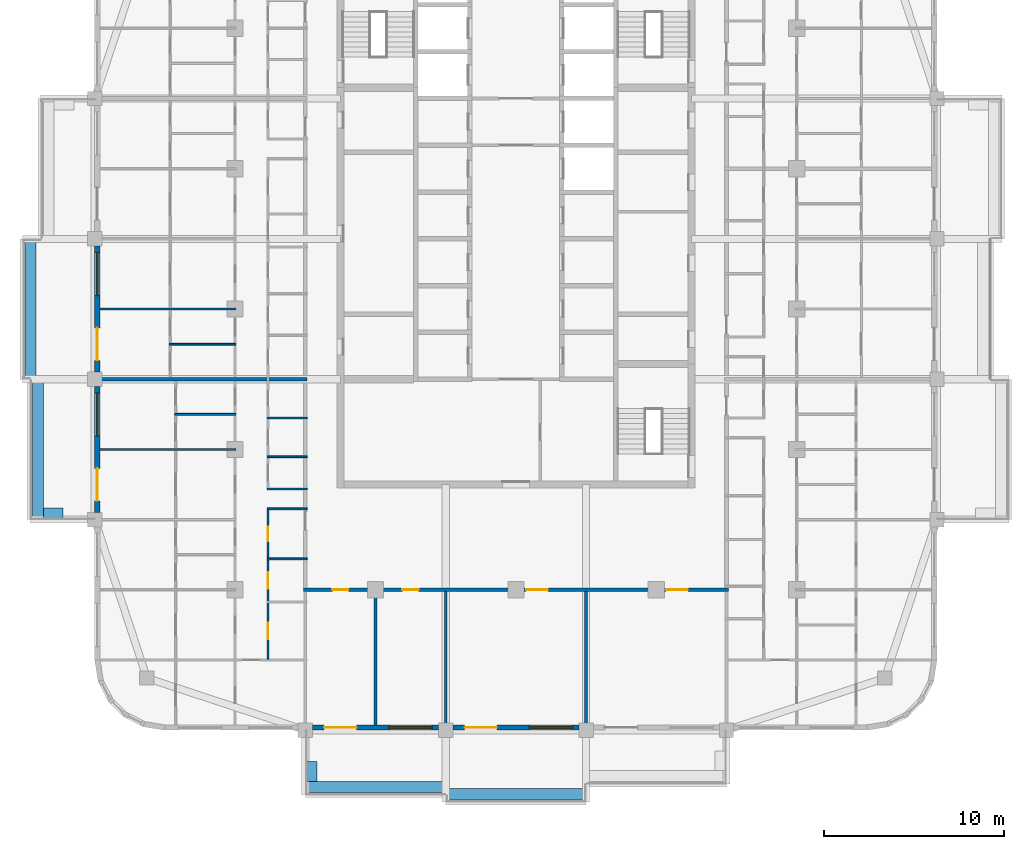
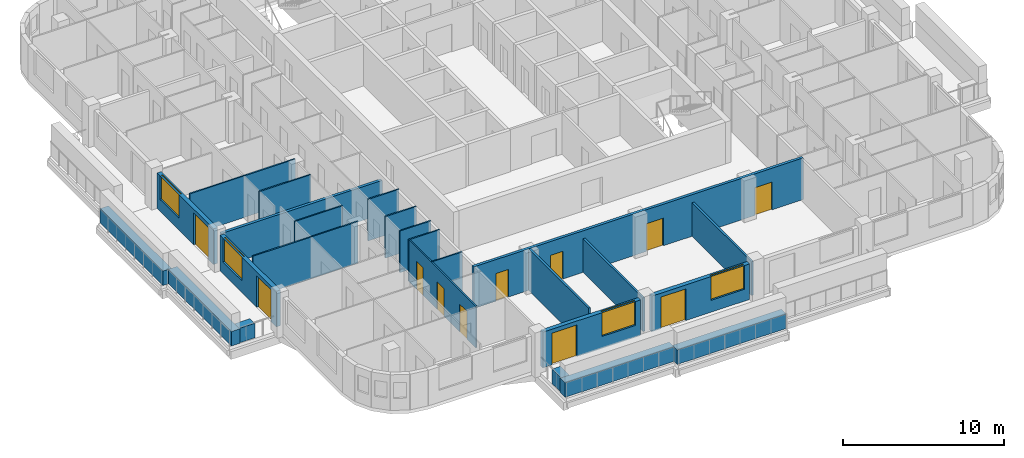
# One storey, part 3 of 16: 25 walls, 11 doors, 4 windows, 15 openings.
"""IFC4 building model written with IfcOpenShell, lengths in metres."""

import ifcopenshell
import ifcopenshell.guid

model = None  # the IFC model being written
_history = None  # IfcOwnerHistory: only IFC2X3 demands one
_inside = {}  # id of a spatial element -> (the spatial element, [elements in it])
_under = {}  # id of a project, library or spatial element -> (it, [spatial elements below it])
_declared = {}  # id of a project -> (the project, [libraries it declares])
_typed = {}  # id of a type object -> (the type object, [elements of that type])
_made_of = {}  # id of a material, layer set ... -> (it, [elements and type objects made of it])


def new_model(schema):
    """Start an empty IFC model of exactly this schema.

    Asked for "IFC4X3", IfcOpenShell would pick the latest addendum, in which some entities
    have other attributes; the version numbers below select the first issue.
    IFC2X3 requires an IfcOwnerHistory on every rooted entity: one is made here for all.
    """
    global model, _history
    if schema == "IFC4X3":
        model = ifcopenshell.file(schema_version=(4, 3, 0, 0))
    else:
        model = ifcopenshell.file(schema=schema)
    _inside.clear()
    _under.clear()
    _declared.clear()
    _typed.clear()
    _made_of.clear()
    _history = None
    if model.schema == "IFC2X3":
        org = make("IfcOrganization", Name="unknown")
        user = make(
            "IfcPersonAndOrganization",
            ThePerson=make("IfcPerson", FamilyName="unknown"),
            TheOrganization=org,
        )
        app = make(
            "IfcApplication",
            ApplicationDeveloper=org,
            Version="unknown",
            ApplicationFullName="unknown",
            ApplicationIdentifier="unknown",
        )
        _history = make(
            "IfcOwnerHistory",
            OwningUser=user,
            OwningApplication=app,
            ChangeAction="ADDED",
            CreationDate=0,
        )
    return model


def make(cls, **values):
    """One entity of the class cls with the attributes given. An attribute that is None is left unset."""
    return model.create_entity(
        cls, **{name: value for name, value in values.items() if value is not None}
    )


def rooted(cls, **values):
    """An entity with a GlobalId (a new one), such as an element, a storey or a relation."""
    return make(cls, GlobalId=ifcopenshell.guid.new(), OwnerHistory=_history, **values)


def si_unit(unit_type, name, prefix=None):
    """IfcSIUnit, for example si_unit("LENGTHUNIT", "METRE", prefix="MILLI")."""
    return make("IfcSIUnit", UnitType=unit_type, Prefix=prefix, Name=name)


def assignment(units):
    """IfcUnitAssignment: the units of a project."""
    return None if units is None else make("IfcUnitAssignment", Units=units)


def point(xyz):
    """IfcCartesianPoint."""
    return None if xyz is None else make("IfcCartesianPoint", Coordinates=xyz)


def direction(xyz):
    """IfcDirection."""
    return None if xyz is None else make("IfcDirection", DirectionRatios=xyz)


def frame(location, z_axis=None, x_axis=None):
    """IfcAxis2Placement3D, a coordinate frame: its origin and axes. An axis left out is left unset."""
    return make(
        "IfcAxis2Placement3D",
        Location=point(location),
        Axis=direction(z_axis),
        RefDirection=direction(x_axis),
    )


def frame_2d(location, x_axis=None):
    """IfcAxis2Placement2D, a coordinate frame in the plane: its origin and x axis."""
    return make(
        "IfcAxis2Placement2D", Location=point(location), RefDirection=direction(x_axis)
    )


def origin():
    """The frame at (0, 0, 0) with its axes left unset."""
    return frame((0.0, 0.0, 0.0))


def place(relative_to, where):
    """IfcLocalPlacement: puts the frame where relative to a parent placement (None: the world)."""
    return make(
        "IfcLocalPlacement", PlacementRelTo=relative_to, RelativePlacement=where
    )


def context(
    kind, dimensions, precision=None, world=None, true_north=None, identifier=None
):
    """IfcGeometricRepresentationContext, for example the 3D "Model" context."""
    return make(
        "IfcGeometricRepresentationContext",
        ContextIdentifier=identifier,
        ContextType=kind,
        CoordinateSpaceDimension=dimensions,
        Precision=precision,
        WorldCoordinateSystem=world,
        TrueNorth=true_north,
    )


def subcontext(parent, identifier, kind, view, scale=None):
    """IfcGeometricRepresentationSubContext, for example "Body" below "Model"."""
    return make(
        "IfcGeometricRepresentationSubContext",
        ContextIdentifier=identifier,
        ContextType=kind,
        ParentContext=parent,
        TargetScale=scale,
        TargetView=view,
    )


def project(units=None, contexts=None):
    """IfcProject with its units and contexts."""
    return rooted(
        "IfcProject",
        Name="project",
        RepresentationContexts=contexts,
        UnitsInContext=assignment(units),
    )


def spatial(cls, under=None, at=None, **own):
    """A site, building, storey or space (cls), placed at a placement, below another one or the project."""
    s = rooted(cls, ObjectPlacement=at, **own)
    if under is not None:
        _under.setdefault(under.id(), (under, []))[1].append(s)
    return s


def profile(cls, at=None, kind="AREA", **sizes):
    """A parametric profile (cls). Its sizes go by their IFC names, for example OverallWidth=200.0."""
    return make(cls, ProfileType=kind, Position=at, **sizes)


def rectangle(**sizes):
    """IfcRectangleProfileDef."""
    return profile("IfcRectangleProfileDef", **sizes)


def extrude(swept, where, along, depth):
    """IfcExtrudedAreaSolid: the profile swept, set in the frame where, extruded along a direction by depth."""
    return make(
        "IfcExtrudedAreaSolid",
        SweptArea=swept,
        Position=where,
        ExtrudedDirection=direction(along),
        Depth=depth,
    )


def shape(context_of_items, identifier, shape_type, items):
    """IfcShapeRepresentation: the items that make up one representation, for example the "Body"."""
    return make(
        "IfcShapeRepresentation",
        ContextOfItems=context_of_items,
        RepresentationIdentifier=identifier,
        RepresentationType=shape_type,
        Items=items,
    )


def material(Name=None, Category=None):
    """IfcMaterial."""
    return make("IfcMaterial", Name=Name, Category=Category)


def layer(
    of_material, thickness, ventilated=None, Name=None, Category=None, Priority=None
):
    """IfcMaterialLayer: one layer of a wall or slab, of a material (None: an air gap)."""
    return make(
        "IfcMaterialLayer",
        Material=of_material,
        LayerThickness=thickness,
        IsVentilated=ventilated,
        Name=Name,
        Category=Category,
        Priority=Priority,
    )


def layer_set(layers, Name=None):
    """IfcMaterialLayerSet."""
    return make("IfcMaterialLayerSet", MaterialLayers=layers, LayerSetName=Name)


def made_of(thing, what):
    """Note that an element or type object is made of a material, layer set ...; save() writes the relation."""
    if what is not None:
        _made_of.setdefault(what.id(), (what, []))[1].append(thing)
    return thing


def type_object(cls, material=None, **own):
    """A type object (cls), such as IfcWallType, which elements share."""
    return made_of(rooted(cls, **own), material)


def element(
    cls,
    number,
    at=None,
    inside=None,
    cuts=None,
    type_object=None,
    material=None,
    context=None,
    identifier="Body",
    shape_type=None,
    held_by="IfcProductDefinitionShape",
    body=None,
    shapes=None,
    **own,
):
    """One element of the class cls, such as IfcWall. Its Tag is "e" and its number.

    at: its placement. inside: the storey or other place that contains it. cuts: it is an
    opening in that element (IfcRelVoidsElement). A single representation is given by context,
    identifier, shape_type and body (its items); several are given by shapes. held_by: the class
    of the entity that holds the representations. save() writes the other relations.
    """
    e = rooted(cls, Tag="e%d" % number, ObjectPlacement=at, **own)
    if body is not None:
        shapes = [shape(context, identifier, shape_type, body)]
    if shapes is not None:
        e.Representation = make(held_by, Representations=shapes)
    if inside is not None:
        _inside.setdefault(inside.id(), (inside, []))[1].append(e)
    if cuts is not None:
        rooted(
            "IfcRelVoidsElement", RelatingBuildingElement=cuts, RelatedOpeningElement=e
        )
    if type_object is not None:
        _typed.setdefault(type_object.id(), (type_object, []))[1].append(e)
    return made_of(e, material)


def fill(opening, filler):
    """IfcRelFillsElement: the door or window that sits in an opening."""
    return rooted(
        "IfcRelFillsElement",
        RelatingOpeningElement=opening,
        RelatedBuildingElement=filler,
    )


def aggregate(whole, parts):
    """IfcRelAggregates: a whole, such as a stair, and the parts it consists of."""
    return rooted("IfcRelAggregates", RelatingObject=whole, RelatedObjects=parts)


def save(model, path):
    """Write the relations noted so far, then the file.

    IfcRelAggregates (storeys below a building ...), IfcRelContainedInSpatialStructure (elements
    in a storey), IfcRelDefinesByType, IfcRelAssociatesMaterial and IfcRelDeclares: one each for
    every whole, place, type object, material and project.
    """
    for whole, parts in _under.values():
        aggregate(whole, parts)
    for where, things in _inside.values():
        rooted(
            "IfcRelContainedInSpatialStructure",
            RelatedElements=things,
            RelatingStructure=where,
        )
    for kind, things in _typed.values():
        rooted("IfcRelDefinesByType", RelatedObjects=things, RelatingType=kind)
    for what, things in _made_of.values():
        rooted("IfcRelAssociatesMaterial", RelatedObjects=things, RelatingMaterial=what)
    for by, libraries in _declared.values():
        rooted("IfcRelDeclares", RelatingContext=by, RelatedDefinitions=libraries)
    model.write(path)


model = new_model("IFC4")

# Units and contexts
model_context = context("Model", 3, precision=1e-05, world=origin(), true_north=direction((0.0, 1.0)))
body_context = subcontext(model_context, "Body", "Model", "MODEL_VIEW")
ifc_project = project(units=[si_unit("LENGTHUNIT", "METRE"), si_unit("AREAUNIT", "SQUARE_METRE"), si_unit("VOLUMEUNIT", "CUBIC_METRE"), si_unit("PLANEANGLEUNIT", "RADIAN"), si_unit("MASSUNIT", "GRAM", prefix="KILO")], contexts=[model_context])

# Site, building, storey
site_placement = place(None, origin())
site = spatial("IfcSite", under=ifc_project, at=site_placement, CompositionType="ELEMENT")
building_placement = place(site_placement, origin())
building = spatial("IfcBuilding", under=site, at=building_placement, Name="Ludao Terraces", CompositionType="ELEMENT")
storey_placement = place(building_placement, frame((0.0, 0.0, 204.10009765625)))
storey = spatial("IfcBuildingStorey", under=building, at=storey_placement, Name="L55", CompositionType="ELEMENT", Elevation=204.10009765625)

# Walls
ifc_material_1 = material(Name="Concrete C40", Category="concrete")
ifc_layer_1 = layer(ifc_material_1, 0.60009765625)
ifc_layer_set_1 = layer_set([ifc_layer_1], Name="ENV Planter trough 600")
wall_type_1 = type_object("IfcWallType", Name="ENV Planter trough 600", PredefinedType="USERDEFINED", material=ifc_layer_set_1)
wall_1_placement = place(storey_placement, frame((73.300048828125, 38.449951171875, 0.0), z_axis=(0.0, 0.0, 1.0), x_axis=(1.0, 0.0, 0.0)))
element("IfcWall", 1, at=wall_1_placement, inside=storey, type_object=wall_type_1, Name="PL-L55-S1", ObjectType="PLANTER", PredefinedType="USERDEFINED", context=body_context, shape_type="SweptSolid", body=[
    extrude(rectangle(XDim=7.800048828125, YDim=0.60009765625, at=frame_2d((3.89990234375, 0.0))), origin(), (0.0, 0.0, 1.0), 1.099853515625),
])
wall_2_placement = place(storey_placement, frame((73.64990234375, 38.75, 0.0), z_axis=(0.0, 0.0, 1.0), x_axis=(0.0, 1.0, 0.0)))
element("IfcWall", 2, at=wall_2_placement, inside=storey, type_object=wall_type_1, Name="PL-L55-S1-SA", ObjectType="PLANTER", PredefinedType="USERDEFINED", context=body_context, shape_type="SweptSolid", body=[
    extrude(rectangle(XDim=1.10009765625, YDim=0.60009765625, at=frame_2d((0.550048828125, 0.0))), origin(), (0.0, 0.0, 1.0), 1.099853515625),
])
wall_3_placement = place(storey_placement, frame((81.10009765625, 38.050048828125, 0.0), z_axis=(0.0, 0.0, 1.0), x_axis=(1.0, 0.0, 0.0)))
element("IfcWall", 3, at=wall_3_placement, inside=storey, type_object=wall_type_1, Name="PL-L55-S2", ObjectType="PLANTER", PredefinedType="USERDEFINED", context=body_context, shape_type="SweptSolid", body=[
    extrude(rectangle(XDim=7.7998046875, YDim=0.60009765625, at=frame_2d((3.89990234375, 0.0))), origin(), (0.0, 0.0, 1.0), 1.099853515625),
])
wall_4_placement = place(storey_placement, frame((58.449951171875, 53.300048828125, 0.0), z_axis=(0.0, 0.0, 1.0), x_axis=(0.0, 1.0, 0.0)))
element("IfcWall", 4, at=wall_4_placement, inside=storey, type_object=wall_type_1, Name="PL-L55-W1", ObjectType="PLANTER", PredefinedType="USERDEFINED", context=body_context, shape_type="SweptSolid", body=[
    extrude(rectangle(XDim=7.800048828125, YDim=0.60009765625, at=frame_2d((3.89990234375, 0.0))), origin(), (0.0, 0.0, 1.0), 1.099853515625),
])
wall_5_placement = place(storey_placement, frame((58.75, 53.64990234375, 0.0), z_axis=(0.0, 0.0, 1.0), x_axis=(1.0, 0.0, 0.0)))
element("IfcWall", 5, at=wall_5_placement, inside=storey, type_object=wall_type_1, Name="PL-L55-W1-SA", ObjectType="PLANTER", PredefinedType="USERDEFINED", context=body_context, shape_type="SweptSolid", body=[
    extrude(rectangle(XDim=1.10009765625, YDim=0.60009765625, at=frame_2d((0.550048828125, 0.0))), origin(), (0.0, 0.0, 1.0), 1.099853515625),
])
wall_6_placement = place(storey_placement, frame((58.050048828125, 61.10009765625, 0.0), z_axis=(0.0, 0.0, 1.0), x_axis=(0.0, 1.0, 0.0)))
element("IfcWall", 6, at=wall_6_placement, inside=storey, type_object=wall_type_1, Name="PL-L55-W2", ObjectType="PLANTER", PredefinedType="USERDEFINED", context=body_context, shape_type="SweptSolid", body=[
    extrude(rectangle(XDim=7.7998046875, YDim=0.60009765625, at=frame_2d((3.89990234375, 0.0))), origin(), (0.0, 0.0, 1.0), 1.099853515625),
])

# Wall, openings, door, window
ifc_material_2 = material(Name="Granite cladding", Category="masonry")
ifc_layer_2 = layer(ifc_material_2, 0.0400390625, Category="stone")
ifc_material_3 = material(Name="Mineral wool")
ifc_layer_3 = layer(ifc_material_3, 0.06005859375)
ifc_layer_4 = layer(ifc_material_1, 0.199951171875, Category="concrete")
ifc_layer_set_2 = layer_set([ifc_layer_2, ifc_layer_3, ifc_layer_4], Name="ENV Stone-clad wall 300")
wall_type_2 = type_object("IfcWallType", Name="ENV Stone-clad wall 300", PredefinedType="SOLIDWALL", material=ifc_layer_set_2)
wall_7_placement = place(storey_placement, frame((73.699951171875, 41.75, 0.0), z_axis=(0.0, 0.0, 1.0), x_axis=(1.0, 0.0, 0.0)))
wall_7 = element("IfcWall", 7, at=wall_7_placement, inside=storey, type_object=wall_type_2, Name="EW-L55-S2", PredefinedType="SOLIDWALL", context=body_context, shape_type="SweptSolid", body=[
    extrude(rectangle(XDim=7.0, YDim=0.300048828125, at=frame_2d((3.5, 0.0))), origin(), (0.0, 0.0, 1.0), 2.699951171875),
])
opening_1_placement = place(wall_7_placement, frame((0.64990234375, 0.0, 0.0)))
opening_1 = element("IfcOpeningElement", 8, at=opening_1_placement, cuts=wall_7, Name="Opening BD", PredefinedType="OPENING", context=body_context, shape_type="SweptSolid", body=[
    extrude(rectangle(XDim=1.800048828125, YDim=2.39990234375, at=frame_2d((0.89990234375, 1.199951171875))), frame((0.0, 0.16015625, 0.0), z_axis=(0.0, -1.0, 0.0), x_axis=(1.0, 0.0, 0.0)), (0.0, 0.0, 1.0), 0.320068359375),
])
opening_2_placement = place(wall_7_placement, frame((4.25, 0.0, 0.89990234375)))
opening_2 = element("IfcOpeningElement", 9, at=opening_2_placement, cuts=wall_7, Name="Opening W1", PredefinedType="OPENING", context=body_context, shape_type="SweptSolid", body=[
    extrude(rectangle(XDim=2.39990234375, YDim=1.800048828125, at=frame_2d((1.199951171875, 0.89990234375))), frame((0.0, 0.16015625, 0.0), z_axis=(0.0, -1.0, 0.0), x_axis=(1.0, 0.0, 0.0)), (0.0, 0.0, 1.0), 0.320068359375),
])
ifc_material_4 = material(Name="Aluminium glazed door", Category="aluminium")
ifc_layer_5 = layer(ifc_material_4, 0.06005859375)
ifc_layer_set_3 = layer_set([ifc_layer_5], Name="ENV Balcony door BD 1800x2400")
door_type_1 = type_object("IfcDoorType", Name="ENV Balcony door BD 1800x2400", OperationType="DOUBLE_DOOR_SINGLE_SWING", PredefinedType="DOOR", material=ifc_layer_set_3)
door_1_placement = place(opening_1_placement, origin())
door_1 = element("IfcDoor", 10, at=door_1_placement, inside=storey, type_object=door_type_1, Name="BD-L55-S2-1", OperationType="DOUBLE_DOOR_SINGLE_SWING", OverallHeight=2.39990234375, OverallWidth=1.800048828125, PredefinedType="DOOR", context=body_context, shape_type="SweptSolid", body=[
    extrude(rectangle(XDim=1.800048828125, YDim=2.39990234375, at=frame_2d((0.89990234375, 1.199951171875))), frame((0.0, 0.02490234375, 0.0), z_axis=(0.0, -1.0, 0.0), x_axis=(1.0, 0.0, 0.0)), (0.0, 0.0, 1.0), 0.050048828125),
])
fill(opening_1, door_1)
ifc_material_5 = material(Name="Clear glass in aluminium frame", Category="aluminium")
ifc_layer_6 = layer(ifc_material_5, 0.06005859375)
ifc_layer_set_4 = layer_set([ifc_layer_6], Name="ENV Window W1 2400x1800")
window_type = type_object("IfcWindowType", Name="ENV Window W1 2400x1800", PartitioningType="DOUBLE_PANEL_VERTICAL", PredefinedType="WINDOW", material=ifc_layer_set_4)
window_1_placement = place(opening_2_placement, origin())
window_1 = element("IfcWindow", 11, at=window_1_placement, inside=storey, type_object=window_type, Name="W-L55-S2-2", OverallHeight=1.800048828125, OverallWidth=2.39990234375, PartitioningType="DOUBLE_PANEL_VERTICAL", PredefinedType="WINDOW", context=body_context, shape_type="SweptSolid", body=[
    extrude(rectangle(XDim=2.39990234375, YDim=1.800048828125, at=frame_2d((1.199951171875, 0.89990234375))), frame((0.0, 0.030029296875, 0.0), z_axis=(0.0, -1.0, 0.0), x_axis=(1.0, 0.0, 0.0)), (0.0, 0.0, 1.0), 0.06005859375),
])
fill(opening_2, window_1)

wall_8_placement = place(storey_placement, frame((81.5, 41.75, 0.0), z_axis=(0.0, 0.0, 1.0), x_axis=(1.0, 0.0, 0.0)))
wall_8 = element("IfcWall", 12, at=wall_8_placement, inside=storey, type_object=wall_type_2, Name="EW-L55-S3", PredefinedType="SOLIDWALL", context=body_context, shape_type="SweptSolid", body=[
    extrude(rectangle(XDim=7.0, YDim=0.300048828125, at=frame_2d((3.5, 0.0))), origin(), (0.0, 0.0, 1.0), 2.699951171875),
])
opening_3_placement = place(wall_8_placement, frame((0.64990234375, 0.0, 0.0)))
opening_3 = element("IfcOpeningElement", 13, at=opening_3_placement, cuts=wall_8, Name="Opening BD", PredefinedType="OPENING", context=body_context, shape_type="SweptSolid", body=[
    extrude(rectangle(XDim=1.800048828125, YDim=2.39990234375, at=frame_2d((0.89990234375, 1.199951171875))), frame((0.0, 0.16015625, 0.0), z_axis=(0.0, -1.0, 0.0), x_axis=(1.0, 0.0, 0.0)), (0.0, 0.0, 1.0), 0.320068359375),
])
opening_4_placement = place(wall_8_placement, frame((4.25, 0.0, 0.89990234375)))
opening_4 = element("IfcOpeningElement", 14, at=opening_4_placement, cuts=wall_8, Name="Opening W1", PredefinedType="OPENING", context=body_context, shape_type="SweptSolid", body=[
    extrude(rectangle(XDim=2.39990234375, YDim=1.800048828125, at=frame_2d((1.199951171875, 0.89990234375))), frame((0.0, 0.16015625, 0.0), z_axis=(0.0, -1.0, 0.0), x_axis=(1.0, 0.0, 0.0)), (0.0, 0.0, 1.0), 0.320068359375),
])
door_2_placement = place(opening_3_placement, origin())
door_2 = element("IfcDoor", 15, at=door_2_placement, inside=storey, type_object=door_type_1, Name="BD-L55-S3-1", OperationType="DOUBLE_DOOR_SINGLE_SWING", OverallHeight=2.39990234375, OverallWidth=1.800048828125, PredefinedType="DOOR", context=body_context, shape_type="SweptSolid", body=[
    extrude(rectangle(XDim=1.800048828125, YDim=2.39990234375, at=frame_2d((0.89990234375, 1.199951171875))), frame((0.0, 0.02490234375, 0.0), z_axis=(0.0, -1.0, 0.0), x_axis=(1.0, 0.0, 0.0)), (0.0, 0.0, 1.0), 0.050048828125),
])
fill(opening_3, door_2)
window_2_placement = place(opening_4_placement, origin())
window_2 = element("IfcWindow", 16, at=window_2_placement, inside=storey, type_object=window_type, Name="W-L55-S3-2", OverallHeight=1.800048828125, OverallWidth=2.39990234375, PartitioningType="DOUBLE_PANEL_VERTICAL", PredefinedType="WINDOW", context=body_context, shape_type="SweptSolid", body=[
    extrude(rectangle(XDim=2.39990234375, YDim=1.800048828125, at=frame_2d((1.199951171875, 0.89990234375))), frame((0.0, 0.030029296875, 0.0), z_axis=(0.0, -1.0, 0.0), x_axis=(1.0, 0.0, 0.0)), (0.0, 0.0, 1.0), 0.06005859375),
])
fill(opening_4, window_2)

wall_9_placement = place(storey_placement, frame((61.75, 53.699951171875, 0.0), z_axis=(0.0, 0.0, 1.0), x_axis=(0.0, 1.0, 0.0)))
wall_9 = element("IfcWall", 17, at=wall_9_placement, inside=storey, type_object=wall_type_2, Name="EW-L55-W2", PredefinedType="SOLIDWALL", context=body_context, shape_type="SweptSolid", body=[
    extrude(rectangle(XDim=7.0, YDim=0.300048828125, at=frame_2d((3.5, 0.0))), origin(), (0.0, 0.0, 1.0), 2.699951171875),
])
opening_5_placement = place(wall_9_placement, frame((0.64990234375, 0.0, 0.0)))
opening_5 = element("IfcOpeningElement", 18, at=opening_5_placement, cuts=wall_9, Name="Opening BD", PredefinedType="OPENING", context=body_context, shape_type="SweptSolid", body=[
    extrude(rectangle(XDim=1.800048828125, YDim=2.39990234375, at=frame_2d((0.89990234375, 1.199951171875))), frame((0.0, 0.16015625, 0.0), z_axis=(0.0, -1.0, 0.0), x_axis=(1.0, 0.0, 0.0)), (0.0, 0.0, 1.0), 0.320068359375),
])
opening_6_placement = place(wall_9_placement, frame((4.25, 0.0, 0.89990234375)))
opening_6 = element("IfcOpeningElement", 19, at=opening_6_placement, cuts=wall_9, Name="Opening W1", PredefinedType="OPENING", context=body_context, shape_type="SweptSolid", body=[
    extrude(rectangle(XDim=2.39990234375, YDim=1.800048828125, at=frame_2d((1.199951171875, 0.89990234375))), frame((0.0, 0.16015625, 0.0), z_axis=(0.0, -1.0, 0.0), x_axis=(1.0, 0.0, 0.0)), (0.0, 0.0, 1.0), 0.320068359375),
])
door_3_placement = place(opening_5_placement, origin())
door_3 = element("IfcDoor", 20, at=door_3_placement, inside=storey, type_object=door_type_1, Name="BD-L55-W2-1", OperationType="DOUBLE_DOOR_SINGLE_SWING", OverallHeight=2.39990234375, OverallWidth=1.800048828125, PredefinedType="DOOR", context=body_context, shape_type="SweptSolid", body=[
    extrude(rectangle(XDim=1.800048828125, YDim=2.39990234375, at=frame_2d((0.89990234375, 1.199951171875))), frame((0.0, 0.02490234375, 0.0), z_axis=(0.0, -1.0, 0.0), x_axis=(1.0, 0.0, 0.0)), (0.0, 0.0, 1.0), 0.050048828125),
])
fill(opening_5, door_3)
window_3_placement = place(opening_6_placement, origin())
window_3 = element("IfcWindow", 21, at=window_3_placement, inside=storey, type_object=window_type, Name="W-L55-W2-2", OverallHeight=1.800048828125, OverallWidth=2.39990234375, PartitioningType="DOUBLE_PANEL_VERTICAL", PredefinedType="WINDOW", context=body_context, shape_type="SweptSolid", body=[
    extrude(rectangle(XDim=2.39990234375, YDim=1.800048828125, at=frame_2d((1.199951171875, 0.89990234375))), frame((0.0, 0.030029296875, 0.0), z_axis=(0.0, -1.0, 0.0), x_axis=(1.0, 0.0, 0.0)), (0.0, 0.0, 1.0), 0.06005859375),
])
fill(opening_6, window_3)

wall_10_placement = place(storey_placement, frame((61.75, 61.5, 0.0), z_axis=(0.0, 0.0, 1.0), x_axis=(0.0, 1.0, 0.0)))
wall_10 = element("IfcWall", 22, at=wall_10_placement, inside=storey, type_object=wall_type_2, Name="EW-L55-W3", PredefinedType="SOLIDWALL", context=body_context, shape_type="SweptSolid", body=[
    extrude(rectangle(XDim=7.0, YDim=0.300048828125, at=frame_2d((3.5, 0.0))), origin(), (0.0, 0.0, 1.0), 2.699951171875),
])
opening_7_placement = place(wall_10_placement, frame((0.64990234375, 0.0, 0.0)))
opening_7 = element("IfcOpeningElement", 23, at=opening_7_placement, cuts=wall_10, Name="Opening BD", PredefinedType="OPENING", context=body_context, shape_type="SweptSolid", body=[
    extrude(rectangle(XDim=1.800048828125, YDim=2.39990234375, at=frame_2d((0.89990234375, 1.199951171875))), frame((0.0, 0.16015625, 0.0), z_axis=(0.0, -1.0, 0.0), x_axis=(1.0, 0.0, 0.0)), (0.0, 0.0, 1.0), 0.320068359375),
])
opening_8_placement = place(wall_10_placement, frame((4.25, 0.0, 0.89990234375)))
opening_8 = element("IfcOpeningElement", 24, at=opening_8_placement, cuts=wall_10, Name="Opening W1", PredefinedType="OPENING", context=body_context, shape_type="SweptSolid", body=[
    extrude(rectangle(XDim=2.39990234375, YDim=1.800048828125, at=frame_2d((1.199951171875, 0.89990234375))), frame((0.0, 0.16015625, 0.0), z_axis=(0.0, -1.0, 0.0), x_axis=(1.0, 0.0, 0.0)), (0.0, 0.0, 1.0), 0.320068359375),
])
door_4_placement = place(opening_7_placement, origin())
door_4 = element("IfcDoor", 25, at=door_4_placement, inside=storey, type_object=door_type_1, Name="BD-L55-W3-1", OperationType="DOUBLE_DOOR_SINGLE_SWING", OverallHeight=2.39990234375, OverallWidth=1.800048828125, PredefinedType="DOOR", context=body_context, shape_type="SweptSolid", body=[
    extrude(rectangle(XDim=1.800048828125, YDim=2.39990234375, at=frame_2d((0.89990234375, 1.199951171875))), frame((0.0, 0.02490234375, 0.0), z_axis=(0.0, -1.0, 0.0), x_axis=(1.0, 0.0, 0.0)), (0.0, 0.0, 1.0), 0.050048828125),
])
fill(opening_7, door_4)
window_4_placement = place(opening_8_placement, origin())
window_4 = element("IfcWindow", 26, at=window_4_placement, inside=storey, type_object=window_type, Name="W-L55-W3-2", OverallHeight=1.800048828125, OverallWidth=2.39990234375, PartitioningType="DOUBLE_PANEL_VERTICAL", PredefinedType="WINDOW", context=body_context, shape_type="SweptSolid", body=[
    extrude(rectangle(XDim=2.39990234375, YDim=1.800048828125, at=frame_2d((1.199951171875, 0.89990234375))), frame((0.0, 0.030029296875, 0.0), z_axis=(0.0, -1.0, 0.0), x_axis=(1.0, 0.0, 0.0)), (0.0, 0.0, 1.0), 0.06005859375),
])
fill(opening_8, window_4)

# Wall, openings, doors
ifc_material_6 = material(Name="Autoclaved aerated concrete block B06 A3.5", Category="concrete")
ifc_layer_7 = layer(ifc_material_6, 0.199951171875)
ifc_layer_set_5 = layer_set([ifc_layer_7], Name="INT Entrance wall 200")
wall_type_3 = type_object("IfcWallType", Name="INT Entrance wall 200", PredefinedType="PARTITIONING", material=ifc_layer_set_5)
wall_11_placement = place(storey_placement, frame((73.2001953125, 49.39990234375, 0.0), z_axis=(0.0, 0.0, 1.0), x_axis=(1.0, 0.0, 0.0)))
wall_11 = element("IfcWall", 27, at=wall_11_placement, inside=storey, type_object=wall_type_3, Name="PW-L55-PW006", PredefinedType="PARTITIONING", context=body_context, shape_type="SweptSolid", body=[
    extrude(rectangle(XDim=23.599853515625, YDim=0.199951171875, at=frame_2d((11.7998046875, 0.0))), origin(), (0.0, 0.0, 1.0), 3.14990234375),
])
opening_9_placement = place(wall_11_placement, frame((1.599853515625, 0.0, 0.0)))
opening_9 = element("IfcOpeningElement", 28, at=opening_9_placement, cuts=wall_11, Name="Opening R20-015", PredefinedType="OPENING", context=body_context, shape_type="SweptSolid", body=[
    extrude(rectangle(XDim=0.89990234375, YDim=2.10009765625, at=frame_2d((0.449951171875, 1.050048828125))), frame((0.0, 0.10986328125, 0.0), z_axis=(0.0, -1.0, 0.0), x_axis=(1.0, 0.0, 0.0)), (0.0, 0.0, 1.0), 0.219970703125),
])
opening_10_placement = place(wall_11_placement, frame((5.5, 0.0, 0.0)))
opening_10 = element("IfcOpeningElement", 29, at=opening_10_placement, cuts=wall_11, Name="Opening R20-016", PredefinedType="OPENING", context=body_context, shape_type="SweptSolid", body=[
    extrude(rectangle(XDim=0.89990234375, YDim=2.10009765625, at=frame_2d((0.449951171875, 1.050048828125))), frame((0.0, 0.10986328125, 0.0), z_axis=(0.0, -1.0, 0.0), x_axis=(1.0, 0.0, 0.0)), (0.0, 0.0, 1.0), 0.219970703125),
])
opening_11_placement = place(wall_11_placement, frame((12.375, 0.0, 0.0)))
opening_11 = element("IfcOpeningElement", 30, at=opening_11_placement, cuts=wall_11, Name="Opening R20-017", PredefinedType="OPENING", context=body_context, shape_type="SweptSolid", body=[
    extrude(rectangle(XDim=1.199951171875, YDim=2.10009765625, at=frame_2d((0.60009765625, 1.050048828125))), frame((0.0, 0.10986328125, 0.0), z_axis=(0.0, -1.0, 0.0), x_axis=(1.0, 0.0, 0.0)), (0.0, 0.0, 1.0), 0.219970703125),
])
opening_12_placement = place(wall_11_placement, frame((20.14990234375, 0.0, 0.0)))
opening_12 = element("IfcOpeningElement", 31, at=opening_12_placement, cuts=wall_11, Name="Opening R20-018", PredefinedType="OPENING", context=body_context, shape_type="SweptSolid", body=[
    extrude(rectangle(XDim=1.199951171875, YDim=2.10009765625, at=frame_2d((0.60009765625, 1.050048828125))), frame((0.0, 0.10986328125, 0.0), z_axis=(0.0, -1.0, 0.0), x_axis=(1.0, 0.0, 0.0)), (0.0, 0.0, 1.0), 0.219970703125),
])
ifc_material_7 = material(Name="Timber door leaf", Category="wood")
door_type_2 = type_object("IfcDoorType", Name="INT Double door 1200", OperationType="DOUBLE_DOOR_SINGLE_SWING", PredefinedType="DOOR", material=ifc_material_7)
door_5_placement = place(opening_11_placement, origin())
door_5 = element("IfcDoor", 32, at=door_5_placement, inside=storey, type_object=door_type_2, Name="DOOR 017", OperationType="DOUBLE_DOOR_SINGLE_SWING", OverallHeight=2.10009765625, OverallWidth=1.199951171875, PredefinedType="DOOR", context=body_context, shape_type="SweptSolid", body=[
    extrude(rectangle(XDim=1.199951171875, YDim=2.10009765625, at=frame_2d((0.60009765625, 1.050048828125))), frame((0.0, 0.02490234375, 0.0), z_axis=(0.0, -1.0, 0.0), x_axis=(1.0, 0.0, 0.0)), (0.0, 0.0, 1.0), 0.050048828125),
])
fill(opening_11, door_5)
door_6_placement = place(opening_12_placement, origin())
door_6 = element("IfcDoor", 33, at=door_6_placement, inside=storey, type_object=door_type_2, Name="DOOR 018", OperationType="DOUBLE_DOOR_SINGLE_SWING", OverallHeight=2.10009765625, OverallWidth=1.199951171875, PredefinedType="DOOR", context=body_context, shape_type="SweptSolid", body=[
    extrude(rectangle(XDim=1.199951171875, YDim=2.10009765625, at=frame_2d((0.60009765625, 1.050048828125))), frame((0.0, 0.02490234375, 0.0), z_axis=(0.0, -1.0, 0.0), x_axis=(1.0, 0.0, 0.0)), (0.0, 0.0, 1.0), 0.050048828125),
])
fill(opening_12, door_6)
door_type_3 = type_object("IfcDoorType", Name="INT Room door 900", OperationType="SINGLE_SWING_LEFT", PredefinedType="DOOR", material=ifc_material_7)
door_7_placement = place(opening_9_placement, origin())
door_7 = element("IfcDoor", 34, at=door_7_placement, inside=storey, type_object=door_type_3, Name="DOOR 015", OperationType="SINGLE_SWING_LEFT", OverallHeight=2.10009765625, OverallWidth=0.89990234375, PredefinedType="DOOR", context=body_context, shape_type="SweptSolid", body=[
    extrude(rectangle(XDim=0.89990234375, YDim=2.10009765625, at=frame_2d((0.449951171875, 1.050048828125))), frame((0.0, 0.02490234375, 0.0), z_axis=(0.0, -1.0, 0.0), x_axis=(1.0, 0.0, 0.0)), (0.0, 0.0, 1.0), 0.050048828125),
])
fill(opening_9, door_7)
door_8_placement = place(opening_10_placement, origin())
door_8 = element("IfcDoor", 35, at=door_8_placement, inside=storey, type_object=door_type_3, Name="DOOR 016", OperationType="SINGLE_SWING_RIGHT", OverallHeight=2.10009765625, OverallWidth=0.89990234375, PredefinedType="DOOR", context=body_context, shape_type="SweptSolid", body=[
    extrude(rectangle(XDim=0.89990234375, YDim=2.10009765625, at=frame_2d((0.449951171875, 1.050048828125))), frame((0.0, 0.02490234375, 0.0), z_axis=(0.0, -1.0, 0.0), x_axis=(1.0, 0.0, 0.0)), (0.0, 0.0, 1.0), 0.050048828125),
])
fill(opening_10, door_8)

# Walls
ifc_material_8 = material(Name="Gypsum plasterboard", Category="gypsum")
ifc_layer_8 = layer(ifc_material_8, 0.012451171875, Category="gypsum")
ifc_layer_9 = layer(ifc_material_3, 0.06005859375, Name="insulation")
ifc_material_9 = material(Name="Steel Q235", Category="steel")
ifc_layer_10 = layer(ifc_material_9, 0.014892578125, Name="stud")
ifc_layer_11 = layer(ifc_material_8, 0.012451171875, Category="gypsum")
ifc_layer_set_6 = layer_set([ifc_layer_8, ifc_layer_9, ifc_layer_10, ifc_layer_11], Name="INT Partition 100")
wall_type_4 = type_object("IfcWallType", Name="INT Partition 100", PredefinedType="PARTITIONING", material=ifc_layer_set_6)
for number, where, z_axis, x_axis, name in (
    (36, (71.18017578125, 51.1201171875, 0.0), (0.0, 0.0, 1.0), (1.0, 0.0, 0.0), "PW-L55-PW009"),
    (37, (71.18017578125, 53.89990234375, 0.0), (0.0, 0.0, 1.0), (1.0, 0.0, 0.0), "PW-L55-PW014"),
    (38, (71.18017578125, 55.0, 0.0), (0.0, 0.0, 1.0), (1.0, 0.0, 0.0), "PW-L55-PW016"),
    (39, (71.18017578125, 56.800048828125, 0.0), (0.0, 0.0, 1.0), (1.0, 0.0, 0.0), "PW-L55-PW018"),
):
    element("IfcWall", number, at=place(storey_placement, frame(where, z_axis=z_axis, x_axis=x_axis)), inside=storey, type_object=wall_type_4, Name=name, PredefinedType="PARTITIONING", context=body_context, shape_type="SweptSolid", body=[
        extrude(rectangle(XDim=2.219970703125, YDim=0.10009765625, at=frame_2d((1.10986328125, 0.0))), origin(), (0.0, 0.0, 1.0), 3.14990234375),
    ])
wall_12_placement = place(storey_placement, frame((61.900146484375, 57.199951171875, 0.0), z_axis=(0.0, 0.0, 1.0), x_axis=(1.0, 0.0, 0.0)))
element("IfcWall", 40, at=wall_12_placement, inside=storey, type_object=wall_type_4, Name="PW-L55-PW019", PredefinedType="PARTITIONING", context=body_context, shape_type="SweptSolid", body=[
    extrude(rectangle(XDim=7.550048828125, YDim=0.10009765625, at=frame_2d((3.77490234375, 0.0))), origin(), (0.0, 0.0, 1.0), 3.14990234375),
])
wall_13_placement = place(storey_placement, frame((71.18017578125, 58.949951171875, 0.0), z_axis=(0.0, 0.0, 1.0), x_axis=(1.0, 0.0, 0.0)))
element("IfcWall", 41, at=wall_13_placement, inside=storey, type_object=wall_type_4, Name="PW-L55-PW022", PredefinedType="PARTITIONING", context=body_context, shape_type="SweptSolid", body=[
    extrude(rectangle(XDim=2.219970703125, YDim=0.10009765625, at=frame_2d((1.10986328125, 0.0))), origin(), (0.0, 0.0, 1.0), 3.14990234375),
])
wall_14_placement = place(storey_placement, frame((66.050048828125, 59.14990234375, 0.0), z_axis=(0.0, 0.0, 1.0), x_axis=(1.0, 0.0, 0.0)))
element("IfcWall", 42, at=wall_14_placement, inside=storey, type_object=wall_type_4, Name="PW-L55-PW024", PredefinedType="PARTITIONING", context=body_context, shape_type="SweptSolid", body=[
    extrude(rectangle(XDim=3.400146484375, YDim=0.10009765625, at=frame_2d((1.7001953125, 0.0))), origin(), (0.0, 0.0, 1.0), 3.14990234375),
])
wall_15_placement = place(storey_placement, frame((65.75, 63.050048828125, 0.0), z_axis=(0.0, 0.0, 1.0), x_axis=(1.0, 0.0, 0.0)))
element("IfcWall", 43, at=wall_15_placement, inside=storey, type_object=wall_type_4, Name="PW-L55-PW030", PredefinedType="PARTITIONING", context=body_context, shape_type="SweptSolid", body=[
    extrude(rectangle(XDim=3.7001953125, YDim=0.10009765625, at=frame_2d((1.85009765625, 0.0))), origin(), (0.0, 0.0, 1.0), 3.14990234375),
])
wall_16_placement = place(storey_placement, frame((61.900146484375, 65.0, 0.0), z_axis=(0.0, 0.0, 1.0), x_axis=(1.0, 0.0, 0.0)))
element("IfcWall", 44, at=wall_16_placement, inside=storey, type_object=wall_type_4, Name="PW-L55-PW033", PredefinedType="PARTITIONING", context=body_context, shape_type="SweptSolid", body=[
    extrude(rectangle(XDim=7.550048828125, YDim=0.10009765625, at=frame_2d((3.77490234375, 0.0))), origin(), (0.0, 0.0, 1.0), 3.14990234375),
])

# Wall, openings, doors
wall_17_placement = place(storey_placement, frame((71.22998046875, 45.550048828125, 0.0), z_axis=(0.0, 0.0, 1.0), x_axis=(0.0, 1.0, 0.0)))
wall_17 = element("IfcWall", 45, at=wall_17_placement, inside=storey, type_object=wall_type_4, Name="PW-L55-PW073", PredefinedType="PARTITIONING", context=body_context, shape_type="SweptSolid", body=[
    extrude(rectangle(XDim=8.300048828125, YDim=0.10009765625, at=frame_2d((4.14990234375, 0.0))), origin(), (0.0, 0.0, 1.0), 3.14990234375),
])
opening_13_placement = place(wall_17_placement, frame((1.110107421875, 0.0, 0.0)))
opening_13 = element("IfcOpeningElement", 46, at=opening_13_placement, cuts=wall_17, Name="Opening R20-009", PredefinedType="OPENING", context=body_context, shape_type="SweptSolid", body=[
    extrude(rectangle(XDim=0.89990234375, YDim=2.10009765625, at=frame_2d((0.449951171875, 1.050048828125))), frame((0.0, 0.06005859375, 0.0), z_axis=(0.0, -1.0, 0.0), x_axis=(1.0, 0.0, 0.0)), (0.0, 0.0, 1.0), 0.1201171875),
])
opening_14_placement = place(wall_17_placement, frame((3.919921875, 0.0, 0.0)))
opening_14 = element("IfcOpeningElement", 47, at=opening_14_placement, cuts=wall_17, Name="Opening R20-019", PredefinedType="OPENING", context=body_context, shape_type="SweptSolid", body=[
    extrude(rectangle(XDim=0.89990234375, YDim=2.10009765625, at=frame_2d((0.449951171875, 1.050048828125))), frame((0.0, 0.06005859375, 0.0), z_axis=(0.0, -1.0, 0.0), x_axis=(1.0, 0.0, 0.0)), (0.0, 0.0, 1.0), 0.1201171875),
])
opening_15_placement = place(wall_17_placement, frame((6.56005859375, 0.0, 0.0)))
opening_15 = element("IfcOpeningElement", 48, at=opening_15_placement, cuts=wall_17, Name="Opening R20-026", PredefinedType="OPENING", context=body_context, shape_type="SweptSolid", body=[
    extrude(rectangle(XDim=0.800048828125, YDim=2.10009765625, at=frame_2d((0.39990234375, 1.050048828125))), frame((0.0, 0.06005859375, 0.0), z_axis=(0.0, -1.0, 0.0), x_axis=(1.0, 0.0, 0.0)), (0.0, 0.0, 1.0), 0.1201171875),
])
door_type_4 = type_object("IfcDoorType", Name="INT Bathroom door 900", OperationType="SINGLE_SWING_LEFT", PredefinedType="DOOR", material=ifc_material_7)
door_9_placement = place(opening_14_placement, origin())
door_9 = element("IfcDoor", 49, at=door_9_placement, inside=storey, type_object=door_type_4, Name="DOOR 019", OperationType="SINGLE_SWING_RIGHT", OverallHeight=2.10009765625, OverallWidth=0.89990234375, PredefinedType="DOOR", context=body_context, shape_type="SweptSolid", body=[
    extrude(rectangle(XDim=0.89990234375, YDim=2.10009765625, at=frame_2d((0.449951171875, 1.050048828125))), frame((0.0, 0.02490234375, 0.0), z_axis=(0.0, -1.0, 0.0), x_axis=(1.0, 0.0, 0.0)), (0.0, 0.0, 1.0), 0.050048828125),
])
fill(opening_14, door_9)
door_10_placement = place(opening_13_placement, origin())
door_10 = element("IfcDoor", 50, at=door_10_placement, inside=storey, type_object=door_type_3, Name="DOOR 009", OperationType="SINGLE_SWING_RIGHT", OverallHeight=2.10009765625, OverallWidth=0.89990234375, PredefinedType="DOOR", context=body_context, shape_type="SweptSolid", body=[
    extrude(rectangle(XDim=0.89990234375, YDim=2.10009765625, at=frame_2d((0.449951171875, 1.050048828125))), frame((0.0, 0.02490234375, 0.0), z_axis=(0.0, -1.0, 0.0), x_axis=(1.0, 0.0, 0.0)), (0.0, 0.0, 1.0), 0.050048828125),
])
fill(opening_13, door_10)
door_type_5 = type_object("IfcDoorType", Name="INT Store door 800", OperationType="SINGLE_SWING_LEFT", PredefinedType="DOOR", material=ifc_material_7)
door_11_placement = place(opening_15_placement, origin())
door_11 = element("IfcDoor", 51, at=door_11_placement, inside=storey, type_object=door_type_5, Name="DOOR 026", OperationType="SINGLE_SWING_RIGHT", OverallHeight=2.10009765625, OverallWidth=0.800048828125, PredefinedType="DOOR", context=body_context, shape_type="SweptSolid", body=[
    extrude(rectangle(XDim=0.800048828125, YDim=2.10009765625, at=frame_2d((0.39990234375, 1.050048828125))), frame((0.0, 0.02490234375, 0.0), z_axis=(0.0, -1.0, 0.0), x_axis=(1.0, 0.0, 0.0)), (0.0, 0.0, 1.0), 0.050048828125),
])
fill(opening_15, door_11)

# Walls
ifc_layer_12 = layer(ifc_material_6, 0.14990234375)
ifc_layer_set_7 = layer_set([ifc_layer_12], Name="INT Party wall 150")
wall_type_5 = type_object("IfcWallType", Name="INT Party wall 150", PredefinedType="PARTITIONING", material=ifc_layer_set_7)
wall_18_placement = place(storey_placement, frame((77.199951171875, 41.900146484375, 0.0), z_axis=(0.0, 0.0, 1.0), x_axis=(0.0, 1.0, 0.0)))
element("IfcWall", 52, at=wall_18_placement, inside=storey, type_object=wall_type_5, Name="PW-L55-PW080", PredefinedType="PARTITIONING", context=body_context, shape_type="SweptSolid", body=[
    extrude(rectangle(XDim=7.39990234375, YDim=0.14990234375, at=frame_2d((3.699951171875, 0.0))), origin(), (0.0, 0.0, 1.0), 3.14990234375),
])
for number, where, z_axis, x_axis, name in (
    (53, (81.10009765625, 41.900146484375, 0.0), (0.0, 0.0, 1.0), (0.0, 1.0, 0.0), "PW-L55-PW082"),
    (54, (88.89990234375, 41.900146484375, 0.0), (0.0, 0.0, 1.0), (0.0, 1.0, 0.0), "PW-L55-PW086"),
):
    element("IfcWall", number, at=place(storey_placement, frame(where, z_axis=z_axis, x_axis=x_axis)), inside=storey, type_object=wall_type_5, Name=name, PredefinedType="PARTITIONING", context=body_context, shape_type="SweptSolid", body=[
        extrude(rectangle(XDim=7.39990234375, YDim=0.14990234375, at=frame_2d((3.699951171875, 0.0))), origin(), (0.0, 0.0, 1.0), 2.5498046875),
    ])
ifc_layer_13 = layer(ifc_material_6, 0.199951171875)
ifc_layer_set_8 = layer_set([ifc_layer_13], Name="INT Party wall 200")
wall_type_6 = type_object("IfcWallType", Name="INT Party wall 200", PredefinedType="PARTITIONING", material=ifc_layer_set_8)
wall_19_placement = place(storey_placement, frame((61.900146484375, 61.10009765625, 0.0), z_axis=(0.0, 0.0, 1.0), x_axis=(1.0, 0.0, 0.0)))
element("IfcWall", 55, at=wall_19_placement, inside=storey, type_object=wall_type_6, Name="PW-L55-PW026", PredefinedType="PARTITIONING", context=body_context, shape_type="SweptSolid", body=[
    extrude(rectangle(XDim=11.5, YDim=0.199951171875, at=frame_2d((5.75, 0.0))), origin(), (0.0, 0.0, 1.0), 2.5498046875),
])

save(model, "model.ifc")
